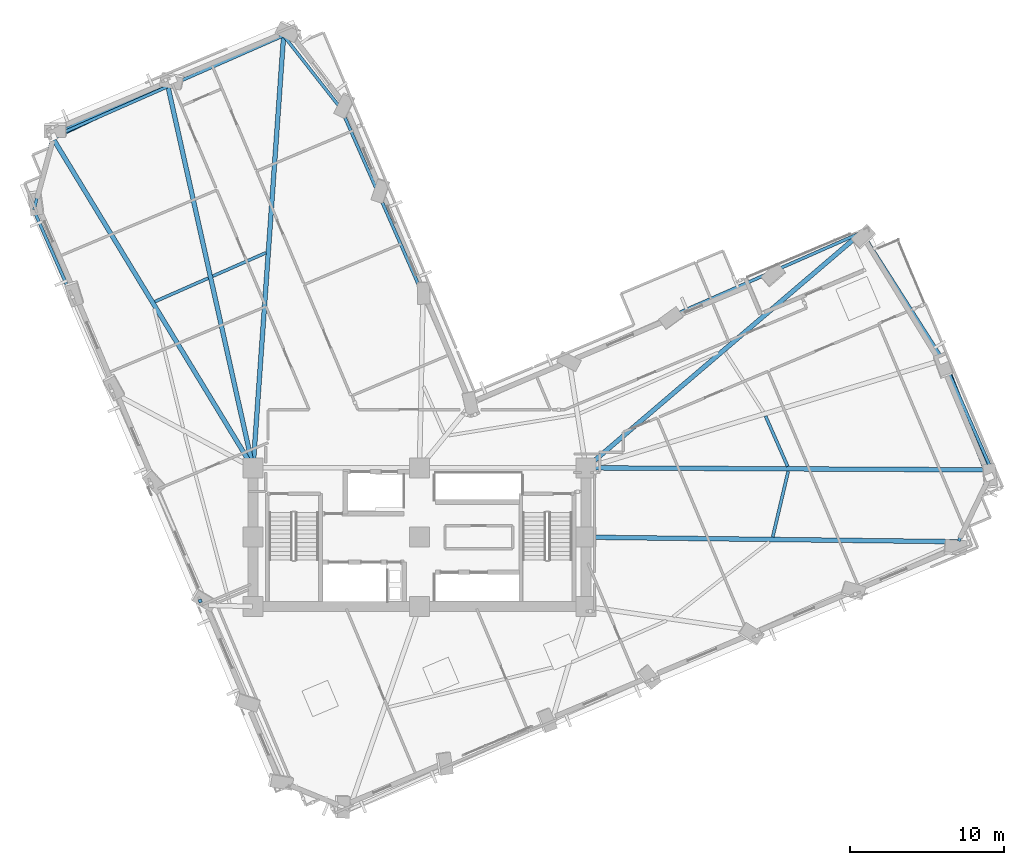
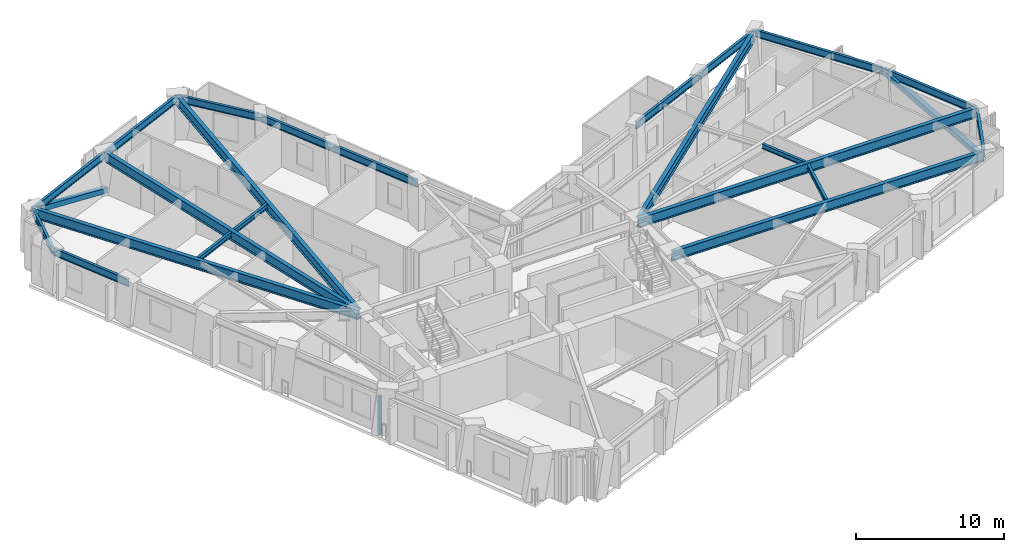
# One storey, part 5 of 18: 22 beams, 2 members, 1 plate.
"""IFC4 building model written with IfcOpenShell, lengths in metres."""

import ifcopenshell
import ifcopenshell.guid

model = None  # the IFC model being written
_history = None  # IfcOwnerHistory: only IFC2X3 demands one
_inside = {}  # id of a spatial element -> (the spatial element, [elements in it])
_under = {}  # id of a project, library or spatial element -> (it, [spatial elements below it])
_declared = {}  # id of a project -> (the project, [libraries it declares])
_typed = {}  # id of a type object -> (the type object, [elements of that type])
_made_of = {}  # id of a material, layer set ... -> (it, [elements and type objects made of it])


def new_model(schema):
    """Start an empty IFC model of exactly this schema.

    Asked for "IFC4X3", IfcOpenShell would pick the latest addendum, in which some entities
    have other attributes; the version numbers below select the first issue.
    IFC2X3 requires an IfcOwnerHistory on every rooted entity: one is made here for all.
    """
    global model, _history
    if schema == "IFC4X3":
        model = ifcopenshell.file(schema_version=(4, 3, 0, 0))
    else:
        model = ifcopenshell.file(schema=schema)
    _inside.clear()
    _under.clear()
    _declared.clear()
    _typed.clear()
    _made_of.clear()
    _history = None
    if model.schema == "IFC2X3":
        org = make("IfcOrganization", Name="unknown")
        user = make(
            "IfcPersonAndOrganization",
            ThePerson=make("IfcPerson", FamilyName="unknown"),
            TheOrganization=org,
        )
        app = make(
            "IfcApplication",
            ApplicationDeveloper=org,
            Version="unknown",
            ApplicationFullName="unknown",
            ApplicationIdentifier="unknown",
        )
        _history = make(
            "IfcOwnerHistory",
            OwningUser=user,
            OwningApplication=app,
            ChangeAction="ADDED",
            CreationDate=0,
        )
    return model


def make(cls, **values):
    """One entity of the class cls with the attributes given. An attribute that is None is left unset."""
    return model.create_entity(
        cls, **{name: value for name, value in values.items() if value is not None}
    )


def rooted(cls, **values):
    """An entity with a GlobalId (a new one), such as an element, a storey or a relation."""
    return make(cls, GlobalId=ifcopenshell.guid.new(), OwnerHistory=_history, **values)


def si_unit(unit_type, name, prefix=None):
    """IfcSIUnit, for example si_unit("LENGTHUNIT", "METRE", prefix="MILLI")."""
    return make("IfcSIUnit", UnitType=unit_type, Prefix=prefix, Name=name)


def assignment(units):
    """IfcUnitAssignment: the units of a project."""
    return None if units is None else make("IfcUnitAssignment", Units=units)


def point(xyz):
    """IfcCartesianPoint."""
    return None if xyz is None else make("IfcCartesianPoint", Coordinates=xyz)


def direction(xyz):
    """IfcDirection."""
    return None if xyz is None else make("IfcDirection", DirectionRatios=xyz)


def frame(location, z_axis=None, x_axis=None):
    """IfcAxis2Placement3D, a coordinate frame: its origin and axes. An axis left out is left unset."""
    return make(
        "IfcAxis2Placement3D",
        Location=point(location),
        Axis=direction(z_axis),
        RefDirection=direction(x_axis),
    )


def frame_2d(location, x_axis=None):
    """IfcAxis2Placement2D, a coordinate frame in the plane: its origin and x axis."""
    return make(
        "IfcAxis2Placement2D", Location=point(location), RefDirection=direction(x_axis)
    )


def origin():
    """The frame at (0, 0, 0) with its axes left unset."""
    return frame((0.0, 0.0, 0.0))


def origin_2d():
    """The frame at (0, 0) in the plane with its x axis left unset."""
    return frame_2d((0.0, 0.0))


def place(relative_to, where):
    """IfcLocalPlacement: puts the frame where relative to a parent placement (None: the world)."""
    return make(
        "IfcLocalPlacement", PlacementRelTo=relative_to, RelativePlacement=where
    )


def context(
    kind, dimensions, precision=None, world=None, true_north=None, identifier=None
):
    """IfcGeometricRepresentationContext, for example the 3D "Model" context."""
    return make(
        "IfcGeometricRepresentationContext",
        ContextIdentifier=identifier,
        ContextType=kind,
        CoordinateSpaceDimension=dimensions,
        Precision=precision,
        WorldCoordinateSystem=world,
        TrueNorth=true_north,
    )


def subcontext(parent, identifier, kind, view, scale=None):
    """IfcGeometricRepresentationSubContext, for example "Body" below "Model"."""
    return make(
        "IfcGeometricRepresentationSubContext",
        ContextIdentifier=identifier,
        ContextType=kind,
        ParentContext=parent,
        TargetScale=scale,
        TargetView=view,
    )


def project(units=None, contexts=None):
    """IfcProject with its units and contexts."""
    return rooted(
        "IfcProject",
        Name="project",
        RepresentationContexts=contexts,
        UnitsInContext=assignment(units),
    )


def spatial(cls, under=None, at=None, **own):
    """A site, building, storey or space (cls), placed at a placement, below another one or the project."""
    s = rooted(cls, ObjectPlacement=at, **own)
    if under is not None:
        _under.setdefault(under.id(), (under, []))[1].append(s)
    return s


def profile(cls, at=None, kind="AREA", **sizes):
    """A parametric profile (cls). Its sizes go by their IFC names, for example OverallWidth=200.0."""
    return make(cls, ProfileType=kind, Position=at, **sizes)


def rectangle(**sizes):
    """IfcRectangleProfileDef."""
    return profile("IfcRectangleProfileDef", **sizes)


def hollow_rectangle(**sizes):
    """IfcRectangleHollowProfileDef."""
    return profile("IfcRectangleHollowProfileDef", **sizes)


def i_section(**sizes):
    """IfcIShapeProfileDef."""
    return profile("IfcIShapeProfileDef", **sizes)


def extrude(swept, where, along, depth):
    """IfcExtrudedAreaSolid: the profile swept, set in the frame where, extruded along a direction by depth."""
    return make(
        "IfcExtrudedAreaSolid",
        SweptArea=swept,
        Position=where,
        ExtrudedDirection=direction(along),
        Depth=depth,
    )


def shape(context_of_items, identifier, shape_type, items):
    """IfcShapeRepresentation: the items that make up one representation, for example the "Body"."""
    return make(
        "IfcShapeRepresentation",
        ContextOfItems=context_of_items,
        RepresentationIdentifier=identifier,
        RepresentationType=shape_type,
        Items=items,
    )


def material(Name=None, Category=None):
    """IfcMaterial."""
    return make("IfcMaterial", Name=Name, Category=Category)


def layer(
    of_material, thickness, ventilated=None, Name=None, Category=None, Priority=None
):
    """IfcMaterialLayer: one layer of a wall or slab, of a material (None: an air gap)."""
    return make(
        "IfcMaterialLayer",
        Material=of_material,
        LayerThickness=thickness,
        IsVentilated=ventilated,
        Name=Name,
        Category=Category,
        Priority=Priority,
    )


def layer_set(layers, Name=None):
    """IfcMaterialLayerSet."""
    return make("IfcMaterialLayerSet", MaterialLayers=layers, LayerSetName=Name)


def material_profile(
    of_material, cross_section, Name=None, Category=None, Priority=None
):
    """IfcMaterialProfile: a cross section and its material."""
    return make(
        "IfcMaterialProfile",
        Name=Name,
        Material=of_material,
        Profile=cross_section,
        Priority=Priority,
        Category=Category,
    )


def profile_set(profiles, Name=None, composite=None):
    """IfcMaterialProfileSet."""
    return make(
        "IfcMaterialProfileSet",
        Name=Name,
        MaterialProfiles=profiles,
        CompositeProfile=composite,
    )


def made_of(thing, what):
    """Note that an element or type object is made of a material, layer set ...; save() writes the relation."""
    if what is not None:
        _made_of.setdefault(what.id(), (what, []))[1].append(thing)
    return thing


def type_object(cls, material=None, **own):
    """A type object (cls), such as IfcWallType, which elements share."""
    return made_of(rooted(cls, **own), material)


def element(
    cls,
    number,
    at=None,
    inside=None,
    cuts=None,
    type_object=None,
    material=None,
    context=None,
    identifier="Body",
    shape_type=None,
    held_by="IfcProductDefinitionShape",
    body=None,
    shapes=None,
    **own,
):
    """One element of the class cls, such as IfcWall. Its Tag is "e" and its number.

    at: its placement. inside: the storey or other place that contains it. cuts: it is an
    opening in that element (IfcRelVoidsElement). A single representation is given by context,
    identifier, shape_type and body (its items); several are given by shapes. held_by: the class
    of the entity that holds the representations. save() writes the other relations.
    """
    e = rooted(cls, Tag="e%d" % number, ObjectPlacement=at, **own)
    if body is not None:
        shapes = [shape(context, identifier, shape_type, body)]
    if shapes is not None:
        e.Representation = make(held_by, Representations=shapes)
    if inside is not None:
        _inside.setdefault(inside.id(), (inside, []))[1].append(e)
    if cuts is not None:
        rooted(
            "IfcRelVoidsElement", RelatingBuildingElement=cuts, RelatedOpeningElement=e
        )
    if type_object is not None:
        _typed.setdefault(type_object.id(), (type_object, []))[1].append(e)
    return made_of(e, material)


def aggregate(whole, parts):
    """IfcRelAggregates: a whole, such as a stair, and the parts it consists of."""
    return rooted("IfcRelAggregates", RelatingObject=whole, RelatedObjects=parts)


def save(model, path):
    """Write the relations noted so far, then the file.

    IfcRelAggregates (storeys below a building ...), IfcRelContainedInSpatialStructure (elements
    in a storey), IfcRelDefinesByType, IfcRelAssociatesMaterial and IfcRelDeclares: one each for
    every whole, place, type object, material and project.
    """
    for whole, parts in _under.values():
        aggregate(whole, parts)
    for where, things in _inside.values():
        rooted(
            "IfcRelContainedInSpatialStructure",
            RelatedElements=things,
            RelatingStructure=where,
        )
    for kind, things in _typed.values():
        rooted("IfcRelDefinesByType", RelatedObjects=things, RelatingType=kind)
    for what, things in _made_of.values():
        rooted("IfcRelAssociatesMaterial", RelatedObjects=things, RelatingMaterial=what)
    for by, libraries in _declared.values():
        rooted("IfcRelDeclares", RelatingContext=by, RelatedDefinitions=libraries)
    model.write(path)


model = new_model("IFC4")

# Units and contexts
model_context = context("Model", 3, precision=1e-05, world=origin(), true_north=direction((0.0, 1.0)))
body_context = subcontext(model_context, "Body", "Model", "MODEL_VIEW")
ifc_project = project(units=[si_unit("LENGTHUNIT", "METRE"), si_unit("AREAUNIT", "SQUARE_METRE"), si_unit("VOLUMEUNIT", "CUBIC_METRE"), si_unit("PLANEANGLEUNIT", "RADIAN"), si_unit("MASSUNIT", "GRAM", prefix="KILO")], contexts=[model_context])

# Site, building, storey
site_placement = place(None, origin())
site = spatial("IfcSite", under=ifc_project, at=site_placement, CompositionType="ELEMENT")
building_placement = place(site_placement, origin())
building = spatial("IfcBuilding", under=site, at=building_placement, Name="Gaonmaruhae Medical Tower", CompositionType="ELEMENT")
storey_placement = place(building_placement, frame((0.0, 0.0, 120.39990234375)))
storey = spatial("IfcBuildingStorey", under=building, at=storey_placement, Name="L28", CompositionType="ELEMENT", Elevation=120.39990234375)

# Beams
ifc_material_1 = material(Name="Steel SM355", Category="steel")
ifc_material_profile_1 = material_profile(ifc_material_1, i_section(OverallWidth=0.199951171875, OverallDepth=0.39990234375, WebThickness=0.008056640625, FlangeThickness=0.012939453125, FilletRadius=0.012939453125, at=origin_2d()), Name="H-400x200x8x13")
ifc_profile_set_1 = profile_set([ifc_material_profile_1], Name="Steel SM355")
beam_type_1 = type_object("IfcBeamType", Name="FJ-01 Lower Zone Ward Floor Joist (H-400x200x8x13)", PredefinedType="JOIST", material=ifc_profile_set_1)
beam_1_placement = place(storey_placement, frame((47.720947265625, 12.308349609375, 3.580078125), z_axis=(0.22890594384, 0.973448544544, 0.0), x_axis=(-0.973448544544, 0.22890594384, 0.0)))
element("IfcBeam", 1, at=beam_1_placement, inside=storey, type_object=beam_type_1, Name="L28 Secondary Floor Joist FJ04", PredefinedType="JOIST", context=body_context, shape_type="SweptSolid", body=[
    extrude(i_section(OverallWidth=0.199951171875, OverallDepth=0.39990234375, WebThickness=0.008056640625, FlangeThickness=0.012939453125, FilletRadius=0.012939453125, at=origin_2d()), origin(), (0.0, 0.0, 1.0), 4.38671875),
])
beam_2_placement = place(storey_placement, frame((48.693359375, 16.89013671875, 3.580078125), z_axis=(-0.402775255491, 0.915298909408, 0.0), x_axis=(-0.915298909408, -0.402775255491, 0.0)))
element("IfcBeam", 2, at=beam_2_placement, inside=storey, type_object=beam_type_1, Name="L28 Secondary Floor Joist FJ05", PredefinedType="JOIST", context=body_context, shape_type="SweptSolid", body=[
    extrude(i_section(OverallWidth=0.199951171875, OverallDepth=0.39990234375, WebThickness=0.008056640625, FlangeThickness=0.012939453125, FilletRadius=0.012939453125, at=origin_2d()), origin(), (0.0, 0.0, 1.0), 3.572509765625),
])
beam_3_placement = place(storey_placement, frame((14.830078125, 30.755615234375, 3.580078125), z_axis=(-0.915302603465, -0.402766860716, 0.0), x_axis=(0.402766860716, -0.915302603465, 0.0)))
element("IfcBeam", 3, at=beam_3_placement, inside=storey, type_object=beam_type_1, Name="L28 Secondary Floor Joist FJ11", PredefinedType="JOIST", context=body_context, shape_type="SweptSolid", body=[
    extrude(i_section(OverallWidth=0.199951171875, OverallDepth=0.39990234375, WebThickness=0.008056640625, FlangeThickness=0.012939453125, FilletRadius=0.012939453125, at=origin_2d()), origin(), (0.0, 0.0, 1.0), 3.765380859375),
])
beam_4_placement = place(storey_placement, frame((11.0927734375, 29.111083984375, 3.580078125), z_axis=(-0.915311226786, -0.40274726333, 0.0), x_axis=(0.40274726333, -0.915311226786, 0.0)))
element("IfcBeam", 4, at=beam_4_placement, inside=storey, type_object=beam_type_1, Name="L28 Secondary Floor Joist FJ12", PredefinedType="JOIST", context=body_context, shape_type="SweptSolid", body=[
    extrude(i_section(OverallWidth=0.199951171875, OverallDepth=0.39990234375, WebThickness=0.008056640625, FlangeThickness=0.012939453125, FilletRadius=0.012939453125, at=origin_2d()), origin(), (0.0, 0.0, 1.0), 3.783935546875),
])

# Members
ifc_material_2 = material(Name="Steel SM420", Category="steel")
ifc_material_profile_2 = material_profile(ifc_material_2, hollow_rectangle(XDim=0.39990234375, YDim=0.39990234375, WallThickness=0.01611328125, at=origin_2d()), Name="RHS-400x400x16")
ifc_profile_set_2 = profile_set([ifc_material_profile_2], Name="Steel SM420")
member_type = type_object("IfcMemberType", Name="PB-01 Perimeter Solid-Bay Tube Brace Lower (RHS-400x400x16)", PredefinedType="BRACE", material=ifc_profile_set_2)
member_1_placement = place(storey_placement, frame((61.784912109375, 16.2001953125, 0.25), z_axis=(-0.340741565666, 0.863337561532, 0.372214239753), x_axis=(-0.930173462604, -0.367120320151, 0.0)))
element("IfcMember", 5, at=member_1_placement, inside=storey, type_object=member_type, Name="L28 Perimeter Tube Solid-Bay Brace E01-E02", PredefinedType="BRACE", context=body_context, shape_type="SweptSolid", body=[
    extrude(hollow_rectangle(XDim=0.39990234375, YDim=0.39990234375, WallThickness=0.01611328125, at=origin_2d()), origin(), (0.0, 0.0, 1.0), 8.812255859375),
])
member_2_placement = place(storey_placement, frame((8.757568359375, 41.96435546875, 0.25), z_axis=(-0.843570430039, -0.402649826836, 0.355333711478), x_axis=(0.430761535254, -0.902465788684, 0.0)))
element("IfcMember", 6, at=member_2_placement, inside=storey, type_object=member_type, Name="L28 Perimeter Tube Solid-Bay Brace N02-N03", PredefinedType="BRACE", context=body_context, shape_type="SweptSolid", body=[
    extrude(hollow_rectangle(XDim=0.39990234375, YDim=0.39990234375, WallThickness=0.01611328125, at=origin_2d()), origin(), (0.0, 0.0, 1.0), 9.23095703125),
])

# Beams
ifc_material_profile_3 = material_profile(ifc_material_2, i_section(OverallWidth=0.300048828125, OverallDepth=0.800048828125, WebThickness=0.013916015625, FlangeThickness=0.02587890625, FilletRadius=0.01806640625, at=origin_2d()), Name="H-800x300x14x26")
ifc_profile_set_3 = profile_set([ifc_material_profile_3], Name="Steel SM420")
beam_type_2 = type_object("IfcBeamType", Name="PG-02 Zone 2 Radial Floor Girder (H-800x300x14x26)", PredefinedType="BEAM", material=ifc_profile_set_3)
beam_5_placement = place(storey_placement, frame((35.64990234375, 12.29931640625, 3.380126953125), z_axis=(0.999926052943, -0.012160947564, 0.0), x_axis=(0.012160947564, 0.999926052943, 0.0)))
element("IfcBeam", 7, at=beam_5_placement, inside=storey, type_object=beam_type_2, Name="L28 Radial Primary Girder S07", PredefinedType="BEAM", context=body_context, shape_type="SweptSolid", body=[
    extrude(i_section(OverallWidth=0.300048828125, OverallDepth=0.800048828125, WebThickness=0.013916015625, FlangeThickness=0.02587890625, FilletRadius=0.01806640625, at=origin_2d()), origin(), (0.0, 0.0, 1.0), 24.07080078125),
])
beam_6_placement = place(storey_placement, frame((35.64990234375, 16.7998046875, 3.380126953125), z_axis=(0.999987549527, -0.004990069327, 0.0), x_axis=(0.004990069327, 0.999987549527, 0.0)))
element("IfcBeam", 8, at=beam_6_placement, inside=storey, type_object=beam_type_2, Name="L28 Radial Primary Girder E01", PredefinedType="BEAM", context=body_context, shape_type="SweptSolid", body=[
    extrude(i_section(OverallWidth=0.300048828125, OverallDepth=0.800048828125, WebThickness=0.013916015625, FlangeThickness=0.02587890625, FilletRadius=0.01806640625, at=origin_2d()), origin(), (0.0, 0.0, 1.0), 26.223876953125),
])
beam_7_placement = place(storey_placement, frame((35.637939453125, 16.83251953125, 3.360107421875), z_axis=(0.760571903909, 0.649253709257, 0.0), x_axis=(-0.649253709257, 0.760571903909, 0.0)))
element("IfcBeam", 9, at=beam_7_placement, inside=storey, type_object=beam_type_2, Name="L28 Radial Primary Girder E03", PredefinedType="BEAM", context=body_context, shape_type="SweptSolid", body=[
    extrude(i_section(OverallWidth=0.300048828125, OverallDepth=0.800048828125, WebThickness=0.013916015625, FlangeThickness=0.02587890625, FilletRadius=0.01806640625, at=origin_2d()), origin(), (0.0, 0.0, 1.0), 23.4384765625),
])
beam_8_placement = place(storey_placement, frame((14.00341796875, 16.849853515625, 3.380126953125), z_axis=(0.070473713338, 0.997513636863, 0.0), x_axis=(-0.997513636863, 0.070473713338, 0.0)))
element("IfcBeam", 10, at=beam_8_placement, inside=storey, type_object=beam_type_2, Name="L28 Radial Primary Girder N01", PredefinedType="BEAM", context=body_context, shape_type="SweptSolid", body=[
    extrude(i_section(OverallWidth=0.300048828125, OverallDepth=0.800048828125, WebThickness=0.013916015625, FlangeThickness=0.02587890625, FilletRadius=0.01806640625, at=origin_2d()), origin(), (0.0, 0.0, 1.0), 28.0224609375),
])
beam_9_placement = place(storey_placement, frame((13.989013671875, 16.848876953125, 3.380126953125), z_axis=(-0.217822781498, 0.975988337974, 0.0), x_axis=(-0.975988337974, -0.217822781498, 0.0)))
element("IfcBeam", 11, at=beam_9_placement, inside=storey, type_object=beam_type_2, Name="L28 Radial Primary Girder N02", PredefinedType="BEAM", context=body_context, shape_type="SweptSolid", body=[
    extrude(i_section(OverallWidth=0.300048828125, OverallDepth=0.800048828125, WebThickness=0.013916015625, FlangeThickness=0.02587890625, FilletRadius=0.01806640625, at=origin_2d()), origin(), (0.0, 0.0, 1.0), 25.2587890625),
])
beam_10_placement = place(storey_placement, frame((13.97412109375, 16.8427734375, 3.380126953125), z_axis=(-0.519203689141, 0.854650530441, 0.0), x_axis=(-0.854650530441, -0.519203689141, 0.0)))
element("IfcBeam", 12, at=beam_10_placement, inside=storey, type_object=beam_type_2, Name="L28 Radial Primary Girder N03", PredefinedType="BEAM", context=body_context, shape_type="SweptSolid", body=[
    extrude(i_section(OverallWidth=0.300048828125, OverallDepth=0.800048828125, WebThickness=0.013916015625, FlangeThickness=0.02587890625, FilletRadius=0.01806640625, at=origin_2d()), origin(), (0.0, 0.0, 1.0), 24.9951171875),
])
ifc_material_profile_4 = material_profile(ifc_material_1, i_section(OverallWidth=0.199951171875, OverallDepth=0.60009765625, WebThickness=0.010986328125, FlangeThickness=0.01708984375, FilletRadius=0.012939453125, at=origin_2d()), Name="H-600x200x11x17")
ifc_profile_set_4 = profile_set([ifc_material_profile_4], Name="Steel SM355")
beam_type_3 = type_object("IfcBeamType", Name="SP-01 Lower Perimeter Spandrel Beam (H-600x200x11x17)", PredefinedType="SPANDREL", material=ifc_profile_set_4)
beam_11_placement = place(storey_placement, frame((59.78564453125, 12.042236328125, 3.47998046875), z_axis=(0.419480665163, 0.907764270917, 0.0), x_axis=(-0.907764270917, 0.419480665163, 0.0)))
element("IfcBeam", 13, at=beam_11_placement, inside=storey, type_object=beam_type_3, Name="L28 Perimeter Spandrel Beam S07-E01", PredefinedType="SPANDREL", context=body_context, shape_type="SweptSolid", body=[
    extrude(i_section(OverallWidth=0.199951171875, OverallDepth=0.60009765625, WebThickness=0.010986328125, FlangeThickness=0.01708984375, FilletRadius=0.012939453125, at=origin_2d()), origin(), (0.0, 0.0, 1.0), 5.056396484375),
])
beam_12_placement = place(storey_placement, frame((61.907470703125, 16.705322265625, 3.47998046875), z_axis=(-0.402740733884, 0.915314099788, 0.0), x_axis=(-0.915314099788, -0.402740733884, 0.0)))
element("IfcBeam", 14, at=beam_12_placement, inside=storey, type_object=beam_type_3, Name="L28 Perimeter Spandrel Beam E01-E02", PredefinedType="SPANDREL", context=body_context, shape_type="SweptSolid", body=[
    extrude(i_section(OverallWidth=0.199951171875, OverallDepth=0.60009765625, WebThickness=0.010986328125, FlangeThickness=0.01708984375, FilletRadius=0.012939453125, at=origin_2d()), origin(), (0.0, 0.0, 1.0), 7.719970703125),
])
beam_13_placement = place(storey_placement, frame((58.7607421875, 23.841796875, 3.47998046875), z_axis=(-0.537903892311, 0.843006169987, 0.0), x_axis=(-0.843006169987, -0.537903892311, 0.0)))
element("IfcBeam", 15, at=beam_13_placement, inside=storey, type_object=beam_type_3, Name="L28 Perimeter Spandrel Beam E02-E03", PredefinedType="SPANDREL", context=body_context, shape_type="SweptSolid", body=[
    extrude(i_section(OverallWidth=0.199951171875, OverallDepth=0.60009765625, WebThickness=0.010986328125, FlangeThickness=0.01708984375, FilletRadius=0.012939453125, at=origin_2d()), origin(), (0.0, 0.0, 1.0), 9.735107421875),
])
beam_14_placement = place(storey_placement, frame((53.4658203125, 32.06640625, 3.460205078125), z_axis=(-0.915295509749, -0.402782981062, 0.0), x_axis=(0.402782981062, -0.915295509749, 0.0)))
element("IfcBeam", 16, at=beam_14_placement, inside=storey, type_object=beam_type_3, Name="L28 Perimeter Spandrel Beam E03-EN01", PredefinedType="SPANDREL", context=body_context, shape_type="SweptSolid", body=[
    extrude(i_section(OverallWidth=0.199951171875, OverallDepth=0.60009765625, WebThickness=0.010986328125, FlangeThickness=0.01708984375, FilletRadius=0.012939453125, at=origin_2d()), origin(), (0.0, 0.0, 1.0), 6.269775390625),
])
for number, where, z_axis, x_axis, name in (
    (17, (47.65380859375, 29.5087890625, 3.460205078125), (-0.915319582826, -0.402728272282, 0.0), (0.402728272282, -0.915319582826, 0.0), "L28 Perimeter Spandrel Beam EN01-EN02"),
    (18, (25.010986328125, 28.056640625, 3.47998046875), (-0.402728272282, 0.915319582826, 0.0), (-0.915319582826, -0.402728272282, 0.0), "L28 Perimeter Spandrel Beam NE01-NE02"),
):
    element("IfcBeam", number, at=place(storey_placement, frame(where, z_axis=z_axis, x_axis=x_axis)), inside=storey, type_object=beam_type_3, Name=name, PredefinedType="SPANDREL", context=body_context, shape_type="SweptSolid", body=[
        extrude(i_section(OverallWidth=0.199951171875, OverallDepth=0.60009765625, WebThickness=0.010986328125, FlangeThickness=0.01708984375, FilletRadius=0.012939453125, at=origin_2d()), origin(), (0.0, 0.0, 1.0), 7.1201171875),
    ])
beam_15_placement = place(storey_placement, frame((22.111328125, 34.64697265625, 3.47998046875), z_axis=(-0.402760727347, 0.915305302348, 0.0), x_axis=(-0.915305302348, -0.402760727347, 0.0)))
element("IfcBeam", 19, at=beam_15_placement, inside=storey, type_object=beam_type_3, Name="L28 Perimeter Spandrel Beam NE02-NE03", PredefinedType="SPANDREL", context=body_context, shape_type="SweptSolid", body=[
    extrude(i_section(OverallWidth=0.199951171875, OverallDepth=0.60009765625, WebThickness=0.010986328125, FlangeThickness=0.01708984375, FilletRadius=0.012939453125, at=origin_2d()), origin(), (0.0, 0.0, 1.0), 5.919921875),
])
beam_16_placement = place(storey_placement, frame((19.686279296875, 40.133544921875, 3.47998046875), z_axis=(-0.617474101198, 0.786591211717, 0.0), x_axis=(-0.786591211717, -0.617474101198, 0.0)))
element("IfcBeam", 20, at=beam_16_placement, inside=storey, type_object=beam_type_3, Name="L28 Perimeter Spandrel Beam NE03-N01", PredefinedType="SPANDREL", context=body_context, shape_type="SweptSolid", body=[
    extrude(i_section(OverallWidth=0.199951171875, OverallDepth=0.60009765625, WebThickness=0.010986328125, FlangeThickness=0.01708984375, FilletRadius=0.012939453125, at=origin_2d()), origin(), (0.0, 0.0, 1.0), 5.959228515625),
])
for number, where, z_axis, x_axis, name in (
    (21, (15.9453125, 44.83642578125, 3.47998046875), (-0.915314145741, -0.402740629445, 0.0), (0.402740629445, -0.915314145741, 0.0), "L28 Perimeter Spandrel Beam N01-N02"),
    (22, (8.439697265625, 41.533935546875, 3.47998046875), (-0.915314145741, -0.402740629445, 0.0), (0.402740629445, -0.915314145741, 0.0), "L28 Perimeter Spandrel Beam N02-N03"),
):
    element("IfcBeam", number, at=place(storey_placement, frame(where, z_axis=z_axis, x_axis=x_axis)), inside=storey, type_object=beam_type_3, Name=name, PredefinedType="SPANDREL", context=body_context, shape_type="SweptSolid", body=[
        extrude(i_section(OverallWidth=0.199951171875, OverallDepth=0.60009765625, WebThickness=0.010986328125, FlangeThickness=0.01708984375, FilletRadius=0.012939453125, at=origin_2d()), origin(), (0.0, 0.0, 1.0), 8.1201171875),
    ])
beam_17_placement = place(storey_placement, frame((0.9609375, 38.208740234375, 3.47998046875), z_axis=(-0.244916089586, -0.969544279062, 0.0), x_axis=(0.969544279062, -0.244916089586, 0.0)))
element("IfcBeam", 23, at=beam_17_placement, inside=storey, type_object=beam_type_3, Name="L28 Perimeter Spandrel Beam N03-W01", PredefinedType="SPANDREL", context=body_context, shape_type="SweptSolid", body=[
    extrude(i_section(OverallWidth=0.199951171875, OverallDepth=0.60009765625, WebThickness=0.010986328125, FlangeThickness=0.01708984375, FilletRadius=0.012939453125, at=origin_2d()), origin(), (0.0, 0.0, 1.0), 4.80078125),
])
beam_18_placement = place(storey_placement, frame((-0.20849609375, 33.478759765625, 3.47998046875), z_axis=(0.40274508693, -0.915312184423, 0.0), x_axis=(0.915312184423, 0.40274508693, 0.0)))
element("IfcBeam", 24, at=beam_18_placement, inside=storey, type_object=beam_type_3, Name="L28 Perimeter Spandrel Beam W01-W02", PredefinedType="SPANDREL", context=body_context, shape_type="SweptSolid", body=[
    extrude(i_section(OverallWidth=0.199951171875, OverallDepth=0.60009765625, WebThickness=0.010986328125, FlangeThickness=0.01708984375, FilletRadius=0.012939453125, at=origin_2d()), origin(), (0.0, 0.0, 1.0), 6.320068359375),
])

# Plate
ifc_material_3 = material(Name="Anodised aluminium 6063-T6", Category="aluminium")
ifc_layer = layer(ifc_material_3, 0.011962890625)
ifc_layer_set = layer_set([ifc_layer], Name="Anodised aluminium 6063-T6")
plate_type = type_object("IfcPlateType", Name="PP-01 Interior Partition Corner Stiffener Plate", PredefinedType="SHEET", material=ifc_layer_set)
plate_placement = place(storey_placement, frame((10.5673828125, 8.16259765625, 0.0), z_axis=(0.0, 0.0, 1.0), x_axis=(-0.386533904635, 0.922275197849, 0.0)))
element("IfcPlate", 25, at=plate_placement, inside=storey, type_object=plate_type, Name="L28 Partition Corner Stiffener Plate PLT-L28-JGP-PW041", PredefinedType="SHEET", context=body_context, shape_type="SweptSolid", body=[
    extrude(rectangle(XDim=0.219970703125, YDim=0.219970703125, at=origin_2d()), origin(), (0.0, 0.0, 1.0), 3.1650390625),
])

save(model, "model.ifc")
